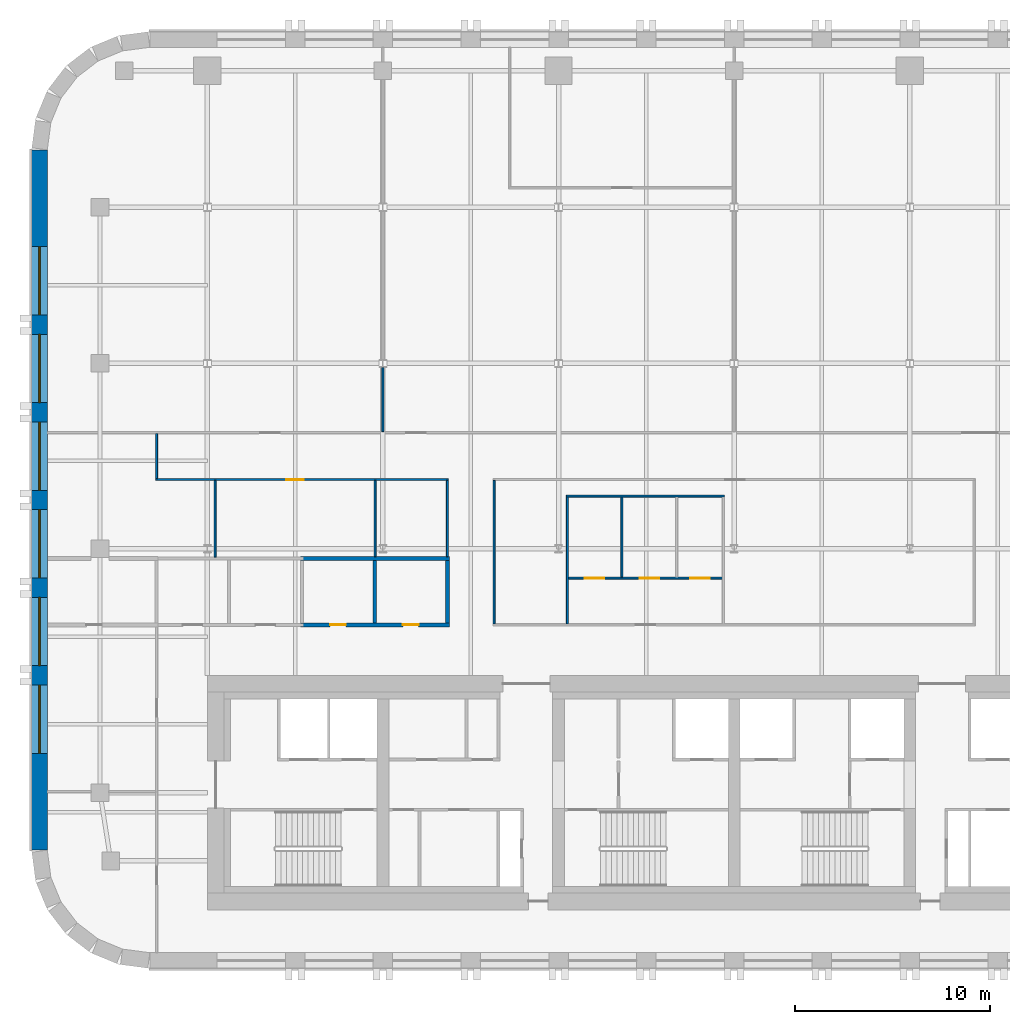
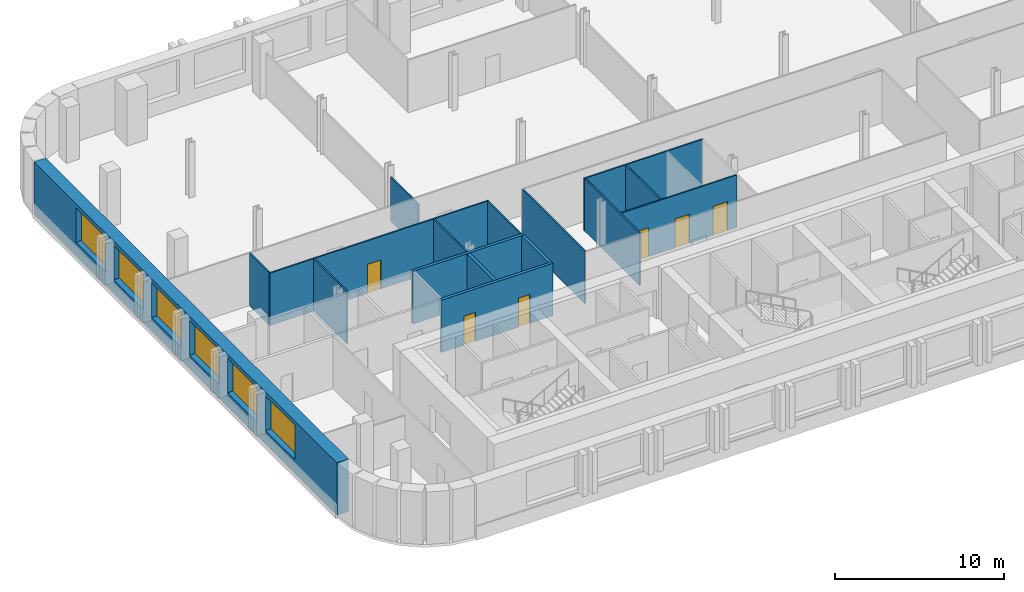
# One storey, part 4 of 10: 16 walls, 6 doors, 6 windows, 12 openings.
"""IFC4 building model written with IfcOpenShell, lengths in metres."""

from ifc_helpers import new_model, si_unit, direction, frame, frame_2d, origin, place, context, subcontext, project, spatial, rectangle, extrude, material, layer, layer_set, type_object, element, fill, save


model = new_model("IFC4")

# Units and contexts
model_context = context("Model", 3, precision=1e-05, world=origin(), true_north=direction((0.0, 1.0)))
body_context = subcontext(model_context, "Body", "Model", "MODEL_VIEW")
ifc_project = project(units=[si_unit("LENGTHUNIT", "METRE"), si_unit("AREAUNIT", "SQUARE_METRE"), si_unit("VOLUMEUNIT", "CUBIC_METRE"), si_unit("PLANEANGLEUNIT", "RADIAN"), si_unit("MASSUNIT", "GRAM", prefix="KILO")], contexts=[model_context])

# Site, building, storey
site_placement = place(None, origin())
site = spatial("IfcSite", under=ifc_project, at=site_placement, CompositionType="ELEMENT")
building_placement = place(site_placement, origin())
building = spatial("IfcBuilding", under=site, at=building_placement, Name="Zellij Exchange Tower", CompositionType="ELEMENT")
storey_placement = place(building_placement, frame((0.0, 0.0, 192.5)))
storey = spatial("IfcBuildingStorey", under=building, at=storey_placement, Name="L44", CompositionType="ELEMENT", Elevation=192.5)

# Wall, openings, windows
ifc_material_1 = material(Name="Precast concrete C40/50", Category="concrete")
ifc_layer_1 = layer(ifc_material_1, 0.800048828125)
ifc_layer_set_1 = layer_set([ifc_layer_1], Name="Precast concrete C40/50")
wall_type_1 = type_object("IfcWallType", Name="ENV-EW1 Precast stone-piered wall 800", PredefinedType="SOLIDWALL", material=ifc_layer_set_1)
wall_1_placement = place(storey_placement, frame((-35.60009765625, 24.947509765625, 0.0), z_axis=(0.0, 0.0, 1.0), x_axis=(0.0, -1.0, 0.0)))
wall_1 = element("IfcWall", 1, at=wall_1_placement, inside=storey, type_object=wall_type_1, Name="fac.L44.21", PredefinedType="SOLIDWALL", context=body_context, shape_type="SweptSolid", body=[
    extrude(rectangle(XDim=35.89501953125, YDim=0.800048828125, at=frame_2d((17.947509765625, 0.0))), origin(), (0.0, 0.0, 1.0), 3.800048828125),
])
opening_1_placement = place(wall_1_placement, frame((4.9638671875, 0.0, 1.0)))
opening_1 = element("IfcOpeningElement", 2, at=opening_1_placement, cuts=wall_1, Name="Opening FZ3.31", PredefinedType="OPENING", context=body_context, shape_type="SweptSolid", body=[
    extrude(rectangle(XDim=3.5, YDim=2.5, at=frame_2d((1.75, 1.25))), frame((0.0, 0.412109375, 0.0), z_axis=(0.0, -1.0, 0.0), x_axis=(1.0, 0.0, 0.0)), (0.0, 0.0, 1.0), 0.823974609375),
])
opening_2_placement = place(wall_1_placement, frame((9.45751953125, 0.0, 1.0)))
opening_2 = element("IfcOpeningElement", 3, at=opening_2_placement, cuts=wall_1, Name="Opening FZ3.32", PredefinedType="OPENING", context=body_context, shape_type="SweptSolid", body=[
    extrude(rectangle(XDim=3.5, YDim=2.5, at=frame_2d((1.75, 1.25))), frame((0.0, 0.412109375, 0.0), z_axis=(0.0, -1.0, 0.0), x_axis=(1.0, 0.0, 0.0)), (0.0, 0.0, 1.0), 0.823974609375),
])
opening_3_placement = place(wall_1_placement, frame((13.950927734375, 0.0, 1.0)))
opening_3 = element("IfcOpeningElement", 4, at=opening_3_placement, cuts=wall_1, Name="Opening FZ3.33", PredefinedType="OPENING", context=body_context, shape_type="SweptSolid", body=[
    extrude(rectangle(XDim=3.5, YDim=2.5, at=frame_2d((1.75, 1.25))), frame((0.0, 0.412109375, 0.0), z_axis=(0.0, -1.0, 0.0), x_axis=(1.0, 0.0, 0.0)), (0.0, 0.0, 1.0), 0.823974609375),
])
opening_4_placement = place(wall_1_placement, frame((18.4443359375, 0.0, 1.0)))
opening_4 = element("IfcOpeningElement", 5, at=opening_4_placement, cuts=wall_1, Name="Opening FZ3.34", PredefinedType="OPENING", context=body_context, shape_type="SweptSolid", body=[
    extrude(rectangle(XDim=3.5, YDim=2.5, at=frame_2d((1.75, 1.25))), frame((0.0, 0.412109375, 0.0), z_axis=(0.0, -1.0, 0.0), x_axis=(1.0, 0.0, 0.0)), (0.0, 0.0, 1.0), 0.823974609375),
])
opening_5_placement = place(wall_1_placement, frame((22.937744140625, 0.0, 1.0)))
opening_5 = element("IfcOpeningElement", 6, at=opening_5_placement, cuts=wall_1, Name="Opening FZ3.35", PredefinedType="OPENING", context=body_context, shape_type="SweptSolid", body=[
    extrude(rectangle(XDim=3.5, YDim=2.5, at=frame_2d((1.75, 1.25))), frame((0.0, 0.412109375, 0.0), z_axis=(0.0, -1.0, 0.0), x_axis=(1.0, 0.0, 0.0)), (0.0, 0.0, 1.0), 0.823974609375),
])
opening_6_placement = place(wall_1_placement, frame((27.43115234375, 0.0, 1.0)))
opening_6 = element("IfcOpeningElement", 7, at=opening_6_placement, cuts=wall_1, Name="Opening FZ3.36", PredefinedType="OPENING", context=body_context, shape_type="SweptSolid", body=[
    extrude(rectangle(XDim=3.5, YDim=2.5, at=frame_2d((1.75, 1.25))), frame((0.0, 0.412109375, 0.0), z_axis=(0.0, -1.0, 0.0), x_axis=(1.0, 0.0, 0.0)), (0.0, 0.0, 1.0), 0.823974609375),
])
ifc_material_2 = material(Name="Aluminium frame with insulating glass", Category="aluminium")
window_type = type_object("IfcWindowType", Name="ENV-W1 Window 3500x2500", PartitioningType="SINGLE_PANEL", PredefinedType="WINDOW", material=ifc_material_2)
window_1_placement = place(opening_1_placement, origin())
window_1 = element("IfcWindow", 8, at=window_1_placement, inside=storey, type_object=window_type, Name="Window FZ3.31", OverallHeight=2.5, OverallWidth=3.5, PartitioningType="SINGLE_PANEL", PredefinedType="WINDOW", context=body_context, shape_type="SweptSolid", body=[
    extrude(rectangle(XDim=3.5, YDim=2.5, at=frame_2d((1.75, 1.25))), frame((0.0, 0.030029296875, 0.0), z_axis=(0.0, -1.0, 0.0), x_axis=(1.0, 0.0, 0.0)), (0.0, 0.0, 1.0), 0.06005859375),
])
fill(opening_1, window_1)
window_2_placement = place(opening_2_placement, origin())
window_2 = element("IfcWindow", 9, at=window_2_placement, inside=storey, type_object=window_type, Name="Window FZ3.32", OverallHeight=2.5, OverallWidth=3.5, PartitioningType="SINGLE_PANEL", PredefinedType="WINDOW", context=body_context, shape_type="SweptSolid", body=[
    extrude(rectangle(XDim=3.5, YDim=2.5, at=frame_2d((1.75, 1.25))), frame((0.0, 0.030029296875, 0.0), z_axis=(0.0, -1.0, 0.0), x_axis=(1.0, 0.0, 0.0)), (0.0, 0.0, 1.0), 0.06005859375),
])
fill(opening_2, window_2)
window_3_placement = place(opening_3_placement, origin())
window_3 = element("IfcWindow", 10, at=window_3_placement, inside=storey, type_object=window_type, Name="Window FZ3.33", OverallHeight=2.5, OverallWidth=3.5, PartitioningType="SINGLE_PANEL", PredefinedType="WINDOW", context=body_context, shape_type="SweptSolid", body=[
    extrude(rectangle(XDim=3.5, YDim=2.5, at=frame_2d((1.75, 1.25))), frame((0.0, 0.030029296875, 0.0), z_axis=(0.0, -1.0, 0.0), x_axis=(1.0, 0.0, 0.0)), (0.0, 0.0, 1.0), 0.06005859375),
])
fill(opening_3, window_3)
window_4_placement = place(opening_4_placement, origin())
window_4 = element("IfcWindow", 11, at=window_4_placement, inside=storey, type_object=window_type, Name="Window FZ3.34", OverallHeight=2.5, OverallWidth=3.5, PartitioningType="SINGLE_PANEL", PredefinedType="WINDOW", context=body_context, shape_type="SweptSolid", body=[
    extrude(rectangle(XDim=3.5, YDim=2.5, at=frame_2d((1.75, 1.25))), frame((0.0, 0.030029296875, 0.0), z_axis=(0.0, -1.0, 0.0), x_axis=(1.0, 0.0, 0.0)), (0.0, 0.0, 1.0), 0.06005859375),
])
fill(opening_4, window_4)
window_5_placement = place(opening_5_placement, origin())
window_5 = element("IfcWindow", 12, at=window_5_placement, inside=storey, type_object=window_type, Name="Window FZ3.35", OverallHeight=2.5, OverallWidth=3.5, PartitioningType="SINGLE_PANEL", PredefinedType="WINDOW", context=body_context, shape_type="SweptSolid", body=[
    extrude(rectangle(XDim=3.5, YDim=2.5, at=frame_2d((1.75, 1.25))), frame((0.0, 0.030029296875, 0.0), z_axis=(0.0, -1.0, 0.0), x_axis=(1.0, 0.0, 0.0)), (0.0, 0.0, 1.0), 0.06005859375),
])
fill(opening_5, window_5)
window_6_placement = place(opening_6_placement, origin())
window_6 = element("IfcWindow", 13, at=window_6_placement, inside=storey, type_object=window_type, Name="Window FZ3.36", OverallHeight=2.5, OverallWidth=3.5, PartitioningType="SINGLE_PANEL", PredefinedType="WINDOW", context=body_context, shape_type="SweptSolid", body=[
    extrude(rectangle(XDim=3.5, YDim=2.5, at=frame_2d((1.75, 1.25))), frame((0.0, 0.030029296875, 0.0), z_axis=(0.0, -1.0, 0.0), x_axis=(1.0, 0.0, 0.0)), (0.0, 0.0, 1.0), 0.06005859375),
])
fill(opening_6, window_6)

# Wall, openings, doors
ifc_material_3 = material(Name="Blockwork partition", Category="masonry")
ifc_layer_2 = layer(ifc_material_3, 0.199951171875)
ifc_layer_set_2 = layer_set([ifc_layer_2], Name="Blockwork partition")
wall_type_2 = type_object("IfcWallType", Name="FIT-BLOCKWORK-200", PredefinedType="PARTITIONING", material=ifc_layer_set_2)
wall_2_placement = place(storey_placement, frame((-22.22509765625, 0.60009765625, 0.0), z_axis=(0.0, 0.0, 1.0), x_axis=(1.0, 0.0, 0.0)))
wall_2 = element("IfcWall", 14, at=wall_2_placement, inside=storey, type_object=wall_type_2, Name="FIT-BLOCKWORK-200 009", PredefinedType="PARTITIONING", context=body_context, shape_type="SweptSolid", body=[
    extrude(rectangle(XDim=7.625, YDim=0.199951171875, at=frame_2d((3.8125, 0.0))), origin(), (0.0, 0.0, 1.0), 3.800048828125),
])
opening_7_placement = place(wall_2_placement, frame((1.52490234375, 0.0, 0.0)))
opening_7 = element("IfcOpeningElement", 15, at=opening_7_placement, cuts=wall_2, Name="Opening O3C.07", PredefinedType="OPENING", context=body_context, shape_type="SweptSolid", body=[
    extrude(rectangle(XDim=0.800048828125, YDim=2.10009765625, at=frame_2d((0.39990234375, 1.050048828125))), frame((0.0, 0.11181640625, 0.0), z_axis=(0.0, -1.0, 0.0), x_axis=(1.0, 0.0, 0.0)), (0.0, 0.0, 1.0), 0.223876953125),
])
opening_8_placement = place(wall_2_placement, frame((5.25, 0.0, 0.0)))
opening_8 = element("IfcOpeningElement", 16, at=opening_8_placement, cuts=wall_2, Name="Opening O3C.08", PredefinedType="OPENING", context=body_context, shape_type="SweptSolid", body=[
    extrude(rectangle(XDim=0.800048828125, YDim=2.10009765625, at=frame_2d((0.39990234375, 1.050048828125))), frame((0.0, 0.11181640625, 0.0), z_axis=(0.0, -1.0, 0.0), x_axis=(1.0, 0.0, 0.0)), (0.0, 0.0, 1.0), 0.223876953125),
])
ifc_material_4 = material(Name="Timber door set", Category="wood")
door_type_1 = type_object("IfcDoorType", Name="FIT-D6-SERVICE-800X2100", OperationType="SINGLE_SWING_LEFT", PredefinedType="DOOR", material=ifc_material_4)
door_1_placement = place(opening_7_placement, origin())
door_1 = element("IfcDoor", 17, at=door_1_placement, inside=storey, type_object=door_type_1, Name="Door O3C.07", OperationType="SINGLE_SWING_RIGHT", OverallHeight=2.10009765625, OverallWidth=0.800048828125, PredefinedType="DOOR", context=body_context, shape_type="SweptSolid", body=[
    extrude(rectangle(XDim=0.800048828125, YDim=2.10009765625, at=frame_2d((0.39990234375, 1.050048828125))), frame((0.0, 0.02490234375, 0.0), z_axis=(0.0, -1.0, 0.0), x_axis=(1.0, 0.0, 0.0)), (0.0, 0.0, 1.0), 0.050048828125),
])
fill(opening_7, door_1)
door_2_placement = place(opening_8_placement, origin())
door_2 = element("IfcDoor", 18, at=door_2_placement, inside=storey, type_object=door_type_1, Name="Door O3C.08", OperationType="SINGLE_SWING_RIGHT", OverallHeight=2.10009765625, OverallWidth=0.800048828125, PredefinedType="DOOR", context=body_context, shape_type="SweptSolid", body=[
    extrude(rectangle(XDim=0.800048828125, YDim=2.10009765625, at=frame_2d((0.39990234375, 1.050048828125))), frame((0.0, 0.02490234375, 0.0), z_axis=(0.0, -1.0, 0.0), x_axis=(1.0, 0.0, 0.0)), (0.0, 0.0, 1.0), 0.050048828125),
])
fill(opening_8, door_2)

# Walls
for number, where, z_axis, x_axis, name in (
    (19, (-18.419921875, 0.699951171875, 0.0), (0.0, 0.0, 1.0), (0.0, 1.0, 0.0), "FIT-BLOCKWORK-200 011"),
    (20, (-14.699951171875, 0.699951171875, 0.0), (0.0, 0.0, 1.0), (0.0, 1.0, 0.0), "FIT-BLOCKWORK-200 012"),
):
    element("IfcWall", number, at=place(storey_placement, frame(where, z_axis=z_axis, x_axis=x_axis)), inside=storey, type_object=wall_type_2, Name=name, PredefinedType="PARTITIONING", context=body_context, shape_type="SweptSolid", body=[
        extrude(rectangle(XDim=3.199951171875, YDim=0.199951171875, at=frame_2d((1.60009765625, 0.0))), origin(), (0.0, 0.0, 1.0), 3.800048828125),
    ])
wall_3_placement = place(storey_placement, frame((-22.22509765625, 4.0, 0.0), z_axis=(0.0, 0.0, 1.0), x_axis=(1.0, 0.0, 0.0)))
element("IfcWall", 21, at=wall_3_placement, inside=storey, type_object=wall_type_2, Name="FIT-BLOCKWORK-200 027", PredefinedType="PARTITIONING", context=body_context, shape_type="SweptSolid", body=[
    extrude(rectangle(XDim=7.625, YDim=0.199951171875, at=frame_2d((3.8125, 0.0))), origin(), (0.0, 0.0, 1.0), 3.800048828125),
])
ifc_material_5 = material(Name="Gypsum board partition on steel studs", Category="steel")
ifc_layer_3 = layer(ifc_material_5, 0.10009765625)
ifc_layer_set_3 = layer_set([ifc_layer_3], Name="Gypsum board partition on steel studs")
wall_type_3 = type_object("IfcWallType", Name="FIT-PARTITION-100", PredefinedType="PARTITIONING", material=ifc_layer_set_3)
wall_4_placement = place(storey_placement, frame((-12.300048828125, 0.64990234375, 0.0), z_axis=(0.0, 0.0, 1.0), x_axis=(0.0, 1.0, 0.0)))
element("IfcWall", 22, at=wall_4_placement, inside=storey, type_object=wall_type_3, Name="FIT-PARTITION-100 014", PredefinedType="PARTITIONING", context=body_context, shape_type="SweptSolid", body=[
    extrude(rectangle(XDim=7.35009765625, YDim=0.10009765625, at=frame_2d((3.675048828125, 0.0))), origin(), (0.0, 0.0, 1.0), 3.800048828125),
])
wall_5_placement = place(storey_placement, frame((-8.550048828125, 0.64990234375, 0.0), z_axis=(0.0, 0.0, 1.0), x_axis=(0.0, 1.0, 0.0)))
element("IfcWall", 23, at=wall_5_placement, inside=storey, type_object=wall_type_3, Name="FIT-PARTITION-100 015", PredefinedType="PARTITIONING", context=body_context, shape_type="SweptSolid", body=[
    extrude(rectangle(XDim=6.5, YDim=0.10009765625, at=frame_2d((3.25, 0.0))), origin(), (0.0, 0.0, 1.0), 3.800048828125),
])

# Wall, openings, doors
wall_6_placement = place(storey_placement, frame((-8.5, 3.0, 0.0), z_axis=(0.0, 0.0, 1.0), x_axis=(1.0, 0.0, 0.0)))
wall_6 = element("IfcWall", 24, at=wall_6_placement, inside=storey, type_object=wall_type_3, Name="FIT-PARTITION-100 020", PredefinedType="PARTITIONING", context=body_context, shape_type="SweptSolid", body=[
    extrude(rectangle(XDim=7.89990234375, YDim=0.10009765625, at=frame_2d((3.949951171875, 0.0))), origin(), (0.0, 0.0, 1.0), 3.800048828125),
])
opening_9_placement = place(wall_6_placement, frame((0.85009765625, 0.0, 0.0)))
opening_9 = element("IfcOpeningElement", 25, at=opening_9_placement, cuts=wall_6, Name="Opening O3C.11", PredefinedType="OPENING", context=body_context, shape_type="SweptSolid", body=[
    extrude(rectangle(XDim=1.0, YDim=2.10009765625, at=frame_2d((0.5, 1.050048828125))), frame((0.0, 0.06201171875, 0.0), z_axis=(0.0, -1.0, 0.0), x_axis=(1.0, 0.0, 0.0)), (0.0, 0.0, 1.0), 0.1240234375),
])
opening_10_placement = place(wall_6_placement, frame((3.64990234375, 0.0, 0.0)))
opening_10 = element("IfcOpeningElement", 26, at=opening_10_placement, cuts=wall_6, Name="Opening O3C.12", PredefinedType="OPENING", context=body_context, shape_type="SweptSolid", body=[
    extrude(rectangle(XDim=1.0, YDim=2.10009765625, at=frame_2d((0.5, 1.050048828125))), frame((0.0, 0.06201171875, 0.0), z_axis=(0.0, -1.0, 0.0), x_axis=(1.0, 0.0, 0.0)), (0.0, 0.0, 1.0), 0.1240234375),
])
opening_11_placement = place(wall_6_placement, frame((6.25, 0.0, 0.0)))
opening_11 = element("IfcOpeningElement", 27, at=opening_11_placement, cuts=wall_6, Name="Opening O3C.13", PredefinedType="OPENING", context=body_context, shape_type="SweptSolid", body=[
    extrude(rectangle(XDim=1.0, YDim=2.10009765625, at=frame_2d((0.5, 1.050048828125))), frame((0.0, 0.06201171875, 0.0), z_axis=(0.0, -1.0, 0.0), x_axis=(1.0, 0.0, 0.0)), (0.0, 0.0, 1.0), 0.1240234375),
])
door_type_2 = type_object("IfcDoorType", Name="FIT-D2-WIDE-1000X2100", OperationType="SINGLE_SWING_LEFT", PredefinedType="DOOR", material=ifc_material_4)
door_3_placement = place(opening_9_placement, origin())
door_3 = element("IfcDoor", 28, at=door_3_placement, inside=storey, type_object=door_type_2, Name="Door O3C.11", OperationType="SINGLE_SWING_RIGHT", OverallHeight=2.10009765625, OverallWidth=1.0, PredefinedType="DOOR", context=body_context, shape_type="SweptSolid", body=[
    extrude(rectangle(XDim=1.0, YDim=2.10009765625, at=frame_2d((0.5, 1.050048828125))), frame((0.0, 0.02490234375, 0.0), z_axis=(0.0, -1.0, 0.0), x_axis=(1.0, 0.0, 0.0)), (0.0, 0.0, 1.0), 0.050048828125),
])
fill(opening_9, door_3)
door_4_placement = place(opening_10_placement, origin())
door_4 = element("IfcDoor", 29, at=door_4_placement, inside=storey, type_object=door_type_2, Name="Door O3C.12", OperationType="SINGLE_SWING_LEFT", OverallHeight=2.10009765625, OverallWidth=1.0, PredefinedType="DOOR", context=body_context, shape_type="SweptSolid", body=[
    extrude(rectangle(XDim=1.0, YDim=2.10009765625, at=frame_2d((0.5, 1.050048828125))), frame((0.0, 0.02490234375, 0.0), z_axis=(0.0, -1.0, 0.0), x_axis=(1.0, 0.0, 0.0)), (0.0, 0.0, 1.0), 0.050048828125),
])
fill(opening_10, door_4)
door_5_placement = place(opening_11_placement, origin())
door_5 = element("IfcDoor", 30, at=door_5_placement, inside=storey, type_object=door_type_2, Name="Door O3C.13", OperationType="SINGLE_SWING_LEFT", OverallHeight=2.10009765625, OverallWidth=1.0, PredefinedType="DOOR", context=body_context, shape_type="SweptSolid", body=[
    extrude(rectangle(XDim=1.0, YDim=2.10009765625, at=frame_2d((0.5, 1.050048828125))), frame((0.0, 0.02490234375, 0.0), z_axis=(0.0, -1.0, 0.0), x_axis=(1.0, 0.0, 0.0)), (0.0, 0.0, 1.0), 0.050048828125),
])
fill(opening_11, door_5)

# Walls
wall_7_placement = place(storey_placement, frame((-5.75, 3.050048828125, 0.0), z_axis=(0.0, 0.0, 1.0), x_axis=(0.0, 1.0, 0.0)))
element("IfcWall", 31, at=wall_7_placement, inside=storey, type_object=wall_type_3, Name="FIT-PARTITION-100 021", PredefinedType="PARTITIONING", context=body_context, shape_type="SweptSolid", body=[
    extrude(rectangle(XDim=4.099853515625, YDim=0.10009765625, at=frame_2d((2.0498046875, 0.0))), origin(), (0.0, 0.0, 1.0), 3.800048828125),
])
wall_8_placement = place(storey_placement, frame((-26.60009765625, 4.074951171875, 0.0), z_axis=(0.0, 0.0, 1.0), x_axis=(0.0, 1.0, 0.0)))
element("IfcWall", 32, at=wall_8_placement, inside=storey, type_object=wall_type_3, Name="FIT-PARTITION-100 026", PredefinedType="PARTITIONING", context=body_context, shape_type="SweptSolid", body=[
    extrude(rectangle(XDim=3.925048828125, YDim=0.10009765625, at=frame_2d((1.96240234375, 0.0))), origin(), (0.0, 0.0, 1.0), 3.800048828125),
])
for number, where, z_axis, x_axis, name in (
    (33, (-18.39990234375, 4.10009765625, 0.0), (0.0, 0.0, 1.0), (0.0, 1.0, 0.0), "FIT-PARTITION-100 028"),
    (34, (-14.699951171875, 4.10009765625, 0.0), (0.0, 0.0, 1.0), (0.0, 1.0, 0.0), "FIT-PARTITION-100 029"),
):
    element("IfcWall", number, at=place(storey_placement, frame(where, z_axis=z_axis, x_axis=x_axis)), inside=storey, type_object=wall_type_3, Name=name, PredefinedType="PARTITIONING", context=body_context, shape_type="SweptSolid", body=[
        extrude(rectangle(XDim=3.89990234375, YDim=0.10009765625, at=frame_2d((1.949951171875, 0.0))), origin(), (0.0, 0.0, 1.0), 3.800048828125),
    ])
wall_9_placement = place(storey_placement, frame((-8.60009765625, 7.199951171875, 0.0), z_axis=(0.0, 0.0, 1.0), x_axis=(1.0, 0.0, 0.0)))
element("IfcWall", 35, at=wall_9_placement, inside=storey, type_object=wall_type_3, Name="FIT-PARTITION-100 030", PredefinedType="PARTITIONING", context=body_context, shape_type="SweptSolid", body=[
    extrude(rectangle(XDim=8.10009765625, YDim=0.10009765625, at=frame_2d((4.050048828125, 0.0))), origin(), (0.0, 0.0, 1.0), 3.800048828125),
])

# Wall, opening, door
wall_10_placement = place(storey_placement, frame((-29.64990234375, 8.050048828125, 0.0), z_axis=(0.0, 0.0, 1.0), x_axis=(1.0, 0.0, 0.0)))
wall_10 = element("IfcWall", 36, at=wall_10_placement, inside=storey, type_object=wall_type_3, Name="FIT-PARTITION-100 031", PredefinedType="PARTITIONING", context=body_context, shape_type="SweptSolid", body=[
    extrude(rectangle(XDim=15.0, YDim=0.10009765625, at=frame_2d((7.5, 0.0))), origin(), (0.0, 0.0, 1.0), 3.800048828125),
])
opening_12_placement = place(wall_10_placement, frame((6.699951171875, 0.0, 0.0)))
opening_12 = element("IfcOpeningElement", 37, at=opening_12_placement, cuts=wall_10, Name="Opening O3C.14", PredefinedType="OPENING", context=body_context, shape_type="SweptSolid", body=[
    extrude(rectangle(XDim=0.89990234375, YDim=2.10009765625, at=frame_2d((0.449951171875, 1.050048828125))), frame((0.0, 0.06201171875, 0.0), z_axis=(0.0, -1.0, 0.0), x_axis=(1.0, 0.0, 0.0)), (0.0, 0.0, 1.0), 0.1240234375),
])
door_type_3 = type_object("IfcDoorType", Name="FIT-D1-ROOM-900X2100", OperationType="SINGLE_SWING_LEFT", PredefinedType="DOOR", material=ifc_material_4)
door_6_placement = place(opening_12_placement, origin())
door_6 = element("IfcDoor", 38, at=door_6_placement, inside=storey, type_object=door_type_3, Name="Door O3C.14", OperationType="SINGLE_SWING_LEFT", OverallHeight=2.10009765625, OverallWidth=0.89990234375, PredefinedType="DOOR", context=body_context, shape_type="SweptSolid", body=[
    extrude(rectangle(XDim=0.89990234375, YDim=2.10009765625, at=frame_2d((0.449951171875, 1.050048828125))), frame((0.0, 0.02490234375, 0.0), z_axis=(0.0, -1.0, 0.0), x_axis=(1.0, 0.0, 0.0)), (0.0, 0.0, 1.0), 0.050048828125),
])
fill(opening_12, door_6)

# Walls
wall_11_placement = place(storey_placement, frame((-29.60009765625, 8.10009765625, 0.0), z_axis=(0.0, 0.0, 1.0), x_axis=(0.0, 1.0, 0.0)))
element("IfcWall", 39, at=wall_11_placement, inside=storey, type_object=wall_type_3, Name="FIT-PARTITION-100 032", PredefinedType="PARTITIONING", context=body_context, shape_type="SweptSolid", body=[
    extrude(rectangle(XDim=2.2998046875, YDim=0.10009765625, at=frame_2d((1.14990234375, 0.0))), origin(), (0.0, 0.0, 1.0), 3.800048828125),
])
wall_12_placement = place(storey_placement, frame((-18.0, 10.5, 0.0), z_axis=(0.0, 0.0, 1.0), x_axis=(0.0, 1.0, 0.0)))
element("IfcWall", 40, at=wall_12_placement, inside=storey, type_object=wall_type_3, Name="FIT-PARTITION-100 037", PredefinedType="PARTITIONING", context=body_context, shape_type="SweptSolid", body=[
    extrude(rectangle(XDim=3.287841796875, YDim=0.10009765625, at=frame_2d((1.64404296875, 0.0))), origin(), (0.0, 0.0, 1.0), 3.19287109375),
])

save(model, "model.ifc")
